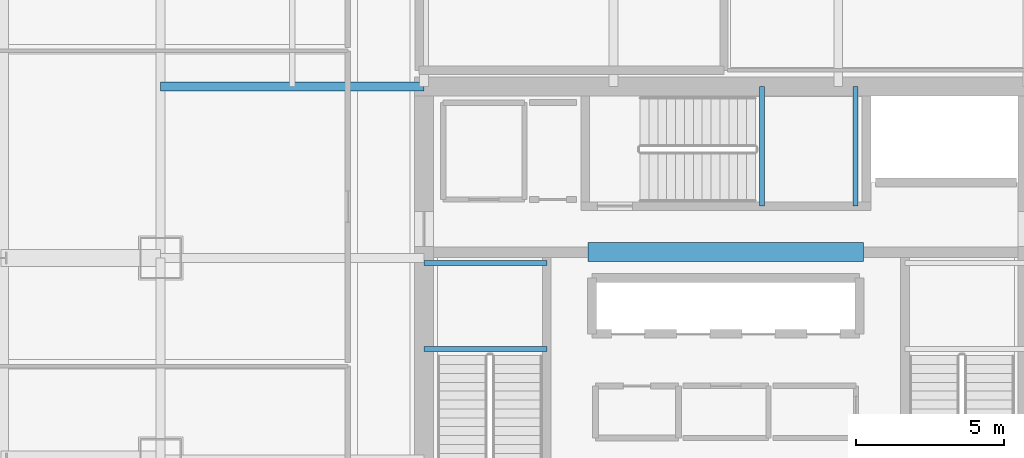
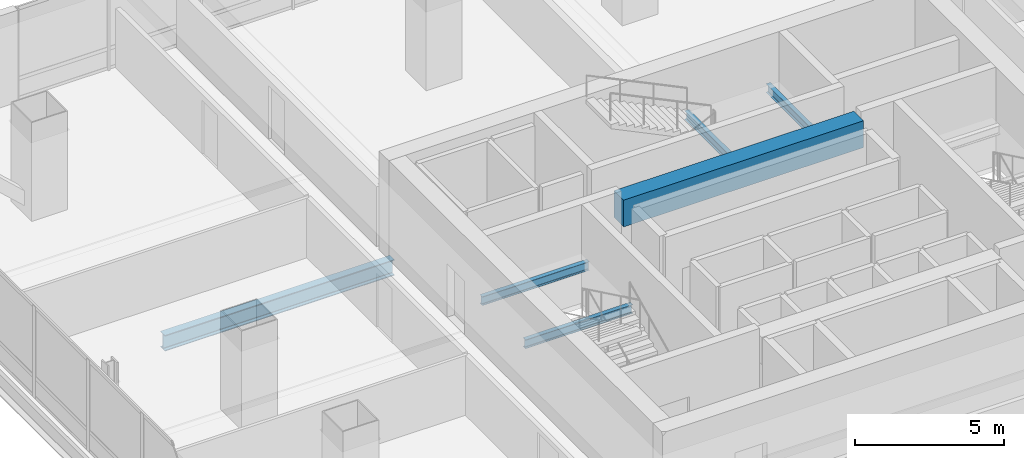
# One storey, part 13 of 47: 6 beams.
"""IFC4 building model written with IfcOpenShell, lengths in metres."""

import ifcopenshell
import ifcopenshell.guid

model = None  # the IFC model being written
_history = None  # IfcOwnerHistory: only IFC2X3 demands one
_inside = {}  # id of a spatial element -> (the spatial element, [elements in it])
_under = {}  # id of a project, library or spatial element -> (it, [spatial elements below it])
_declared = {}  # id of a project -> (the project, [libraries it declares])
_typed = {}  # id of a type object -> (the type object, [elements of that type])
_made_of = {}  # id of a material, layer set ... -> (it, [elements and type objects made of it])


def new_model(schema):
    """Start an empty IFC model of exactly this schema.

    Asked for "IFC4X3", IfcOpenShell would pick the latest addendum, in which some entities
    have other attributes; the version numbers below select the first issue.
    IFC2X3 requires an IfcOwnerHistory on every rooted entity: one is made here for all.
    """
    global model, _history
    if schema == "IFC4X3":
        model = ifcopenshell.file(schema_version=(4, 3, 0, 0))
    else:
        model = ifcopenshell.file(schema=schema)
    _inside.clear()
    _under.clear()
    _declared.clear()
    _typed.clear()
    _made_of.clear()
    _history = None
    if model.schema == "IFC2X3":
        org = make("IfcOrganization", Name="unknown")
        user = make(
            "IfcPersonAndOrganization",
            ThePerson=make("IfcPerson", FamilyName="unknown"),
            TheOrganization=org,
        )
        app = make(
            "IfcApplication",
            ApplicationDeveloper=org,
            Version="unknown",
            ApplicationFullName="unknown",
            ApplicationIdentifier="unknown",
        )
        _history = make(
            "IfcOwnerHistory",
            OwningUser=user,
            OwningApplication=app,
            ChangeAction="ADDED",
            CreationDate=0,
        )
    return model


def make(cls, **values):
    """One entity of the class cls with the attributes given. An attribute that is None is left unset."""
    return model.create_entity(
        cls, **{name: value for name, value in values.items() if value is not None}
    )


def rooted(cls, **values):
    """An entity with a GlobalId (a new one), such as an element, a storey or a relation."""
    return make(cls, GlobalId=ifcopenshell.guid.new(), OwnerHistory=_history, **values)


def si_unit(unit_type, name, prefix=None):
    """IfcSIUnit, for example si_unit("LENGTHUNIT", "METRE", prefix="MILLI")."""
    return make("IfcSIUnit", UnitType=unit_type, Prefix=prefix, Name=name)


def assignment(units):
    """IfcUnitAssignment: the units of a project."""
    return None if units is None else make("IfcUnitAssignment", Units=units)


def point(xyz):
    """IfcCartesianPoint."""
    return None if xyz is None else make("IfcCartesianPoint", Coordinates=xyz)


def direction(xyz):
    """IfcDirection."""
    return None if xyz is None else make("IfcDirection", DirectionRatios=xyz)


def frame(location, z_axis=None, x_axis=None):
    """IfcAxis2Placement3D, a coordinate frame: its origin and axes. An axis left out is left unset."""
    return make(
        "IfcAxis2Placement3D",
        Location=point(location),
        Axis=direction(z_axis),
        RefDirection=direction(x_axis),
    )


def frame_2d(location, x_axis=None):
    """IfcAxis2Placement2D, a coordinate frame in the plane: its origin and x axis."""
    return make(
        "IfcAxis2Placement2D", Location=point(location), RefDirection=direction(x_axis)
    )


def origin():
    """The frame at (0, 0, 0) with its axes left unset."""
    return frame((0.0, 0.0, 0.0))


def origin_2d():
    """The frame at (0, 0) in the plane with its x axis left unset."""
    return frame_2d((0.0, 0.0))


def place(relative_to, where):
    """IfcLocalPlacement: puts the frame where relative to a parent placement (None: the world)."""
    return make(
        "IfcLocalPlacement", PlacementRelTo=relative_to, RelativePlacement=where
    )


def context(
    kind, dimensions, precision=None, world=None, true_north=None, identifier=None
):
    """IfcGeometricRepresentationContext, for example the 3D "Model" context."""
    return make(
        "IfcGeometricRepresentationContext",
        ContextIdentifier=identifier,
        ContextType=kind,
        CoordinateSpaceDimension=dimensions,
        Precision=precision,
        WorldCoordinateSystem=world,
        TrueNorth=true_north,
    )


def subcontext(parent, identifier, kind, view, scale=None):
    """IfcGeometricRepresentationSubContext, for example "Body" below "Model"."""
    return make(
        "IfcGeometricRepresentationSubContext",
        ContextIdentifier=identifier,
        ContextType=kind,
        ParentContext=parent,
        TargetScale=scale,
        TargetView=view,
    )


def project(units=None, contexts=None):
    """IfcProject with its units and contexts."""
    return rooted(
        "IfcProject",
        Name="project",
        RepresentationContexts=contexts,
        UnitsInContext=assignment(units),
    )


def spatial(cls, under=None, at=None, **own):
    """A site, building, storey or space (cls), placed at a placement, below another one or the project."""
    s = rooted(cls, ObjectPlacement=at, **own)
    if under is not None:
        _under.setdefault(under.id(), (under, []))[1].append(s)
    return s


def profile(cls, at=None, kind="AREA", **sizes):
    """A parametric profile (cls). Its sizes go by their IFC names, for example OverallWidth=200.0."""
    return make(cls, ProfileType=kind, Position=at, **sizes)


def rectangle(**sizes):
    """IfcRectangleProfileDef."""
    return profile("IfcRectangleProfileDef", **sizes)


def i_section(**sizes):
    """IfcIShapeProfileDef."""
    return profile("IfcIShapeProfileDef", **sizes)


def extrude(swept, where, along, depth):
    """IfcExtrudedAreaSolid: the profile swept, set in the frame where, extruded along a direction by depth."""
    return make(
        "IfcExtrudedAreaSolid",
        SweptArea=swept,
        Position=where,
        ExtrudedDirection=direction(along),
        Depth=depth,
    )


def shape(context_of_items, identifier, shape_type, items):
    """IfcShapeRepresentation: the items that make up one representation, for example the "Body"."""
    return make(
        "IfcShapeRepresentation",
        ContextOfItems=context_of_items,
        RepresentationIdentifier=identifier,
        RepresentationType=shape_type,
        Items=items,
    )


def material(Name=None, Category=None):
    """IfcMaterial."""
    return make("IfcMaterial", Name=Name, Category=Category)


def material_profile(
    of_material, cross_section, Name=None, Category=None, Priority=None
):
    """IfcMaterialProfile: a cross section and its material."""
    return make(
        "IfcMaterialProfile",
        Name=Name,
        Material=of_material,
        Profile=cross_section,
        Priority=Priority,
        Category=Category,
    )


def profile_set(profiles, Name=None, composite=None):
    """IfcMaterialProfileSet."""
    return make(
        "IfcMaterialProfileSet",
        Name=Name,
        MaterialProfiles=profiles,
        CompositeProfile=composite,
    )


def made_of(thing, what):
    """Note that an element or type object is made of a material, layer set ...; save() writes the relation."""
    if what is not None:
        _made_of.setdefault(what.id(), (what, []))[1].append(thing)
    return thing


def type_object(cls, material=None, **own):
    """A type object (cls), such as IfcWallType, which elements share."""
    return made_of(rooted(cls, **own), material)


def element(
    cls,
    number,
    at=None,
    inside=None,
    cuts=None,
    type_object=None,
    material=None,
    context=None,
    identifier="Body",
    shape_type=None,
    held_by="IfcProductDefinitionShape",
    body=None,
    shapes=None,
    **own,
):
    """One element of the class cls, such as IfcWall. Its Tag is "e" and its number.

    at: its placement. inside: the storey or other place that contains it. cuts: it is an
    opening in that element (IfcRelVoidsElement). A single representation is given by context,
    identifier, shape_type and body (its items); several are given by shapes. held_by: the class
    of the entity that holds the representations. save() writes the other relations.
    """
    e = rooted(cls, Tag="e%d" % number, ObjectPlacement=at, **own)
    if body is not None:
        shapes = [shape(context, identifier, shape_type, body)]
    if shapes is not None:
        e.Representation = make(held_by, Representations=shapes)
    if inside is not None:
        _inside.setdefault(inside.id(), (inside, []))[1].append(e)
    if cuts is not None:
        rooted(
            "IfcRelVoidsElement", RelatingBuildingElement=cuts, RelatedOpeningElement=e
        )
    if type_object is not None:
        _typed.setdefault(type_object.id(), (type_object, []))[1].append(e)
    return made_of(e, material)


def aggregate(whole, parts):
    """IfcRelAggregates: a whole, such as a stair, and the parts it consists of."""
    return rooted("IfcRelAggregates", RelatingObject=whole, RelatedObjects=parts)


def save(model, path):
    """Write the relations noted so far, then the file.

    IfcRelAggregates (storeys below a building ...), IfcRelContainedInSpatialStructure (elements
    in a storey), IfcRelDefinesByType, IfcRelAssociatesMaterial and IfcRelDeclares: one each for
    every whole, place, type object, material and project.
    """
    for whole, parts in _under.values():
        aggregate(whole, parts)
    for where, things in _inside.values():
        rooted(
            "IfcRelContainedInSpatialStructure",
            RelatedElements=things,
            RelatingStructure=where,
        )
    for kind, things in _typed.values():
        rooted("IfcRelDefinesByType", RelatedObjects=things, RelatingType=kind)
    for what, things in _made_of.values():
        rooted("IfcRelAssociatesMaterial", RelatedObjects=things, RelatingMaterial=what)
    for by, libraries in _declared.values():
        rooted("IfcRelDeclares", RelatingContext=by, RelatedDefinitions=libraries)
    model.write(path)


model = new_model("IFC4")

# Units and contexts
model_context = context("Model", 3, precision=1e-05, world=origin(), true_north=direction((0.0, 1.0)))
body_context = subcontext(model_context, "Body", "Model", "MODEL_VIEW")
ifc_project = project(units=[si_unit("LENGTHUNIT", "METRE"), si_unit("AREAUNIT", "SQUARE_METRE"), si_unit("VOLUMEUNIT", "CUBIC_METRE"), si_unit("PLANEANGLEUNIT", "RADIAN"), si_unit("MASSUNIT", "GRAM", prefix="KILO")], contexts=[model_context])

# Site, building, storey
site_placement = place(None, origin())
site = spatial("IfcSite", under=ifc_project, at=site_placement, CompositionType="ELEMENT")
building_placement = place(site_placement, origin())
building = spatial("IfcBuilding", under=site, at=building_placement, Name="Punatoya Terracotta Tower", CompositionType="ELEMENT")
storey_placement = place(building_placement, frame((0.0, 0.0, 168.14990234375)))
storey = spatial("IfcBuildingStorey", under=building, at=storey_placement, Name="L39", CompositionType="ELEMENT", Elevation=168.14990234375)

# Beams
ifc_material_1 = material(Name="Steel S355", Category="steel")
ifc_material_profile_1 = material_profile(ifc_material_1, i_section(OverallWidth=0.300048828125, OverallDepth=0.64990234375, WebThickness=0.01611328125, FlangeThickness=0.031005859375, FilletRadius=0.01806640625, at=origin_2d()))
ifc_profile_set_1 = profile_set([ifc_material_profile_1], Name="Steel S355")
beam_type_1 = type_object("IfcBeamType", Name="BM-PRI-650", PredefinedType="BEAM", material=ifc_profile_set_1)
beam_1_placement = place(storey_placement, frame((-19.10009765625, 9.199951171875, -0.544921875), z_axis=(1.0, 0.0, 0.0), x_axis=(0.0, 1.0, 0.0)))
element("IfcBeam", 1, at=beam_1_placement, inside=storey, type_object=beam_type_1, Name="BM-L39-PR-WN", PredefinedType="BEAM", context=body_context, shape_type="SweptSolid", body=[
    extrude(i_section(OverallWidth=0.300048828125, OverallDepth=0.64990234375, WebThickness=0.01611328125, FlangeThickness=0.031005859375, FilletRadius=0.01806640625, at=origin_2d()), origin(), (0.0, 0.0, 1.0), 8.900146484375),
])
ifc_material_2 = material(Name="Concrete C60/75", Category="concrete")
ifc_material_profile_2 = material_profile(ifc_material_2, rectangle(XDim=0.64990234375, YDim=1.10009765625, at=origin_2d()))
ifc_profile_set_2 = profile_set([ifc_material_profile_2], Name="Concrete C60/75")
beam_type_2 = type_object("IfcBeamType", Name="BM-RC-1100", PredefinedType="LINTEL", material=ifc_profile_set_2)
beam_2_placement = place(storey_placement, frame((-4.64990234375, 3.60009765625, 3.22021484375), z_axis=(1.0, 0.0, 0.0), x_axis=(0.0, 1.0, 0.0)))
element("IfcBeam", 2, at=beam_2_placement, inside=storey, type_object=beam_type_2, Name="L39 Core Coupling Lintel CNW", PredefinedType="LINTEL", context=body_context, shape_type="SweptSolid", body=[
    extrude(rectangle(XDim=0.64990234375, YDim=1.10009765625, at=origin_2d()), origin(), (0.0, 0.0, 1.0), 9.2998046875),
])
ifc_material_profile_3 = material_profile(ifc_material_1, i_section(OverallWidth=0.169921875, OverallDepth=0.360107421875, WebThickness=0.008056640625, FlangeThickness=0.0126953125, FilletRadius=0.01806640625, at=origin_2d()))
ifc_profile_set_3 = profile_set([ifc_material_profile_3], Name="Steel S355")
beam_type_3 = type_object("IfcBeamType", Name="BM-SEC-360", PredefinedType="JOIST", material=ifc_profile_set_3)
for number, where, z_axis, x_axis, name in (
    (3, (-10.199951171875, 0.320068359375, 1.64501953125), (1.0, 0.0, 0.0), (0.0, 1.0, 0.0), "BM-L39-ST-1-LD1A"),
    (4, (-10.199951171875, 3.22998046875, 1.64501953125), (1.0, 0.0, 0.0), (0.0, 1.0, 0.0), "BM-L39-ST-1-LD1B"),
):
    element("IfcBeam", number, at=place(storey_placement, frame(where, z_axis=z_axis, x_axis=x_axis)), inside=storey, type_object=beam_type_3, Name=name, PredefinedType="JOIST", context=body_context, shape_type="SweptSolid", body=[
        extrude(i_section(OverallWidth=0.169921875, OverallDepth=0.360107421875, WebThickness=0.008056640625, FlangeThickness=0.0126953125, FilletRadius=0.01806640625, at=origin_2d()), origin(), (0.0, 0.0, 1.0), 4.14990234375),
    ])
for number, where, z_axis, x_axis, name in (
    (5, (1.219970703125, 5.14990234375, 1.64501953125), (0.0, 1.0, 0.0), (-1.0, 0.0, 0.0), "BM-L39-ST-3-LD1A"),
    (6, (4.3798828125, 5.14990234375, 1.64501953125), (0.0, 1.0, 0.0), (-1.0, 0.0, 0.0), "BM-L39-ST-3-LD1B"),
):
    element("IfcBeam", number, at=place(storey_placement, frame(where, z_axis=z_axis, x_axis=x_axis)), inside=storey, type_object=beam_type_3, Name=name, PredefinedType="JOIST", context=body_context, shape_type="SweptSolid", body=[
        extrude(i_section(OverallWidth=0.169921875, OverallDepth=0.360107421875, WebThickness=0.008056640625, FlangeThickness=0.0126953125, FilletRadius=0.01806640625, at=origin_2d()), origin(), (0.0, 0.0, 1.0), 4.050048828125),
    ])

save(model, "model.ifc")
